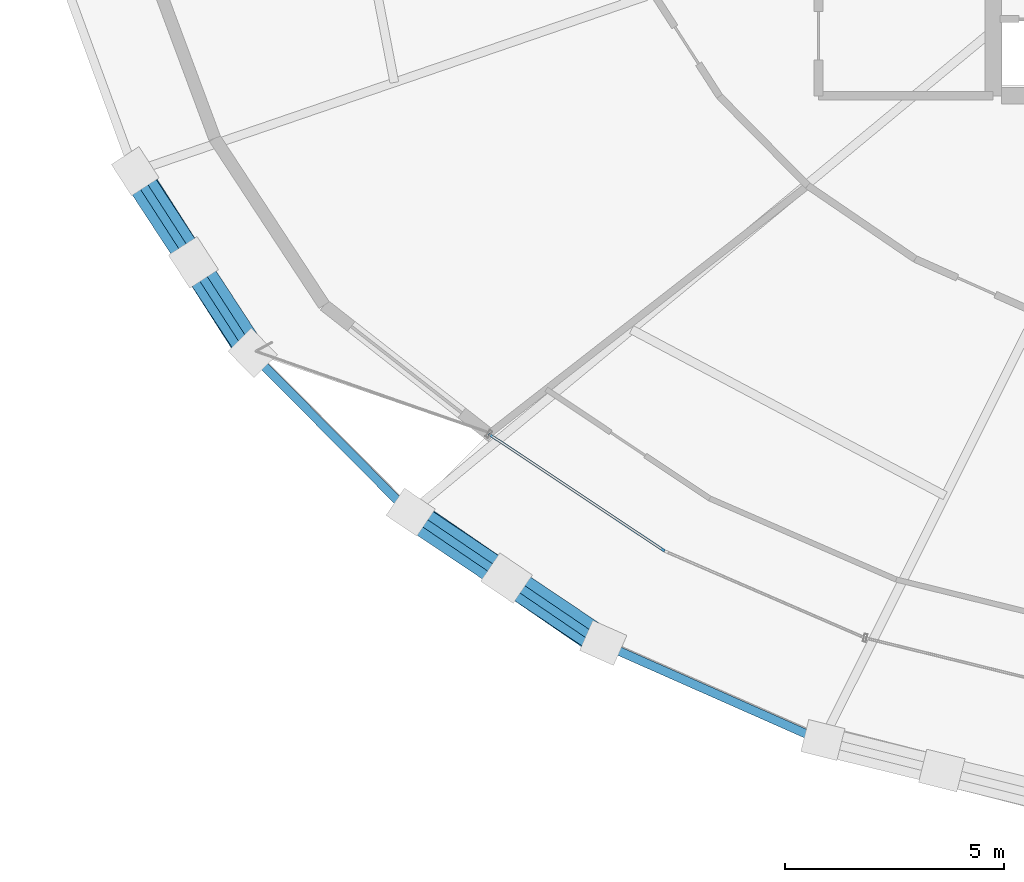
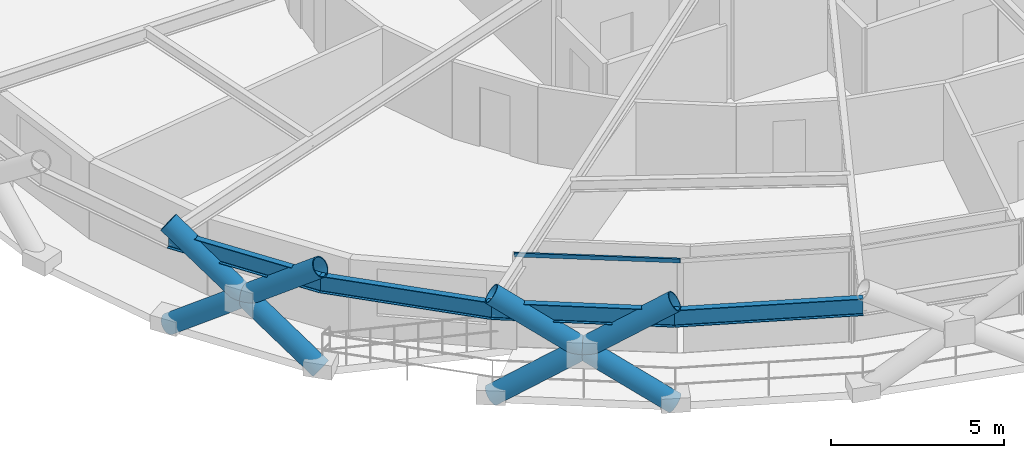
# One storey, part 1 of 21: 7 members, 4 beams, 1 element without a shape of its own.
"""IFC4 building model written with IfcOpenShell, lengths in metres."""

from ifc_helpers import new_model, si_unit, direction, frame, origin, origin_2d, place, context, subcontext, project, spatial, hollow_rectangle, hollow_circle, i_section, extrude, material, layer, layer_set, material_profile, profile_set, type_object, element, aggregate, save


model = new_model("IFC4")

# Units and contexts
model_context = context("Model", 3, precision=1e-05, world=origin(), true_north=direction((0.0, 1.0)))
body_context = subcontext(model_context, "Body", "Model", "MODEL_VIEW")
ifc_project = project(units=[si_unit("LENGTHUNIT", "METRE"), si_unit("AREAUNIT", "SQUARE_METRE"), si_unit("VOLUMEUNIT", "CUBIC_METRE"), si_unit("PLANEANGLEUNIT", "RADIAN"), si_unit("MASSUNIT", "GRAM", prefix="KILO")], contexts=[model_context])

# Site, building, storey
site_placement = place(None, origin())
site = spatial("IfcSite", under=ifc_project, at=site_placement, CompositionType="ELEMENT")
building_placement = place(site_placement, origin())
building = spatial("IfcBuilding", under=site, at=building_placement, Name="Veldorina Hangang Commons", CompositionType="ELEMENT")
storey_placement = place(building_placement, frame((0.0, 0.0, 73.60009765625)))
storey = spatial("IfcBuildingStorey", under=building, at=storey_placement, Name="L18", CompositionType="ELEMENT", Elevation=73.60009765625)

# Beams
ifc_material_1 = material(Name="Steel SM420-TMC", Category="steel")
ifc_material_profile_1 = material_profile(ifc_material_1, i_section(OverallWidth=0.199951171875, OverallDepth=0.60009765625, WebThickness=0.010986328125, FlangeThickness=0.01708984375, FilletRadius=0.01806640625, at=origin_2d()), Name="H-600x200x11x17")
ifc_profile_set_1 = profile_set([ifc_material_profile_1], Name="Steel SM420-TMC")
beam_type = type_object("IfcBeamType", Name="BM-RB600", PredefinedType="BEAM", material=ifc_profile_set_1)
beam_1_placement = place(storey_placement, frame((5.22021484375, 14.82080078125, 3.039794921875), z_axis=(0.542555966662, -0.840019656341, 0.0), x_axis=(0.840019656341, 0.542555966662, 0.0)))
element("IfcBeam", 1, at=beam_1_placement, inside=storey, type_object=beam_type, Name="L18 perimeter hoop ring beam 18", PredefinedType="BEAM", context=body_context, shape_type="SweptSolid", body=[
    extrude(i_section(OverallWidth=0.199951171875, OverallDepth=0.60009765625, WebThickness=0.010986328125, FlangeThickness=0.01708984375, FilletRadius=0.01806640625, at=origin_2d()), origin(), (0.0, 0.0, 1.0), 4.936767578125),
])
beam_2_placement = place(storey_placement, frame((7.898681640625, 10.673828125, 3.039794921875), z_axis=(0.704215546876, -0.709986241795, 0.0), x_axis=(0.709986241795, 0.704215546876, 0.0)))
element("IfcBeam", 2, at=beam_2_placement, inside=storey, type_object=beam_type, Name="L18 perimeter hoop ring beam 19", PredefinedType="BEAM", context=body_context, shape_type="SweptSolid", body=[
    extrude(i_section(OverallWidth=0.199951171875, OverallDepth=0.60009765625, WebThickness=0.010986328125, FlangeThickness=0.01708984375, FilletRadius=0.01806640625, at=origin_2d()), origin(), (0.0, 0.0, 1.0), 5.119140625),
])
beam_3_placement = place(storey_placement, frame((11.503662109375, 7.039306640625, 3.039794921875), z_axis=(0.827244514098, -0.561842072023, 0.0), x_axis=(0.561842072023, 0.827244514098, 0.0)))
element("IfcBeam", 3, at=beam_3_placement, inside=storey, type_object=beam_type, Name="L18 perimeter hoop ring beam 20", PredefinedType="BEAM", context=body_context, shape_type="SweptSolid", body=[
    extrude(i_section(OverallWidth=0.199951171875, OverallDepth=0.60009765625, WebThickness=0.010986328125, FlangeThickness=0.01708984375, FilletRadius=0.01806640625, at=origin_2d()), origin(), (0.0, 0.0, 1.0), 5.3095703125),
])
beam_4_placement = place(storey_placement, frame((15.89599609375, 4.05615234375, 3.039794921875), z_axis=(0.91453945814, -0.404496699004, 0.0), x_axis=(0.404496699004, 0.91453945814, 0.0)))
element("IfcBeam", 4, at=beam_4_placement, inside=storey, type_object=beam_type, Name="L18 perimeter hoop ring beam 21", PredefinedType="BEAM", context=body_context, shape_type="SweptSolid", body=[
    extrude(i_section(OverallWidth=0.199951171875, OverallDepth=0.60009765625, WebThickness=0.010986328125, FlangeThickness=0.01708984375, FilletRadius=0.01806640625, at=origin_2d()), origin(), (0.0, 0.0, 1.0), 5.479736328125),
])

# Curtain wall, member
ifc_material_2 = material(Name="Glass Low-E Triple IGU", Category="glass")
ifc_layer = layer(ifc_material_2, 0.179931640625)
ifc_layer_set = layer_set([ifc_layer], Name="Glass Low-E Triple IGU")
curtain_wall_type = type_object("IfcCurtainWallType", Name="CW-SYS-Z1", PredefinedType="NOTDEFINED", material=ifc_layer_set)
curtain_wall_placement = place(storey_placement, origin())
curtain_wall = element("IfcCurtainWall", 5, at=curtain_wall_placement, inside=storey, type_object=curtain_wall_type, Name="L18 unitised curtain wall CW-L18-R1", PredefinedType="NOTDEFINED")
ifc_material_3 = material(Name="Aluminium Anodized AA6063-T6", Category="aluminium")
ifc_material_profile_2 = material_profile(ifc_material_3, hollow_rectangle(XDim=0.06005859375, YDim=0.139892578125, WallThickness=0.00341796875, at=origin_2d()), Name="ALU-RHS-140x60x3.5")
ifc_profile_set_2 = profile_set([ifc_material_profile_2], Name="Aluminium Anodized AA6063-T6")
member_type_1 = type_object("IfcMemberType", Name="CW-TRN-140", PredefinedType="USERDEFINED", material=ifc_profile_set_2)
member_1_placement = place(storey_placement, frame((13.302490234375, 8.837890625, 3.260009765625), z_axis=(0.832502642558, -0.554021073728, 0.0), x_axis=(0.554021073728, 0.832502642558, 0.0)))
member_1 = element("IfcMember", 6, at=member_1_placement, type_object=member_type_1, Name="CW-L18-R1 facet 1 transom 1", ObjectType="TRANSOM", PredefinedType="USERDEFINED", context=body_context, shape_type="SweptSolid", body=[
    extrude(hollow_rectangle(XDim=0.06005859375, YDim=0.139892578125, WallThickness=0.00341796875, at=origin_2d()), origin(), (0.0, 0.0, 1.0), 4.81298828125),
])
aggregate(curtain_wall, [member_1])

# Members
ifc_material_4 = material(Name="Steel SM460-TMC", Category="steel")
ifc_material_profile_3 = material_profile(ifc_material_4, hollow_circle(Radius=0.324951171875, WallThickness=0.031982421875, at=origin_2d()), Name="CHS-650x32")
ifc_profile_set_3 = profile_set([ifc_material_profile_3], Name="Steel SM460-TMC")
member_type_2 = type_object("IfcMemberType", Name="DG-CHS650", PredefinedType="BRACE", material=ifc_profile_set_3)
member_2_placement = place(storey_placement, frame((5.2421875, 14.830078125, 0.0), z_axis=(0.434449326939, -0.680998420454, 0.5894870089), x_axis=(0.843051606963, 0.53783267658, 0.0)))
element("IfcMember", 7, at=member_2_placement, inside=storey, type_object=member_type_2, Name="L18 continuous perimeter diagrid brace 18", PredefinedType="BRACE", context=body_context, shape_type="SweptSolid", body=[
    extrude(hollow_circle(Radius=0.324951171875, WallThickness=0.031982421875, at=origin_2d()), origin(), (0.0, 0.0, 1.0), 6.106689453125),
])
member_3_placement = place(storey_placement, frame((7.918701171875, 10.687255859375, 0.0), z_axis=(-0.442331749181, 0.676211063418, 0.589135995656), x_axis=(-0.8368597728, -0.547417318568, 0.0)))
element("IfcMember", 8, at=member_3_placement, inside=storey, type_object=member_type_2, Name="L18 split perimeter diagrid lower brace 19", PredefinedType="BRACE", context=body_context, shape_type="SweptSolid", body=[
    extrude(hollow_circle(Radius=0.324951171875, WallThickness=0.031982421875, at=origin_2d()), origin(), (0.0, 0.0, 1.0), 3.05322265625),
])
member_4_placement = place(storey_placement, frame((6.568115234375, 12.751953125, 1.798828125), z_axis=(-0.442226742182, 0.676238726035, 0.589183073339), x_axis=(-0.836929561154, -0.547310615343, 0.0)))
element("IfcMember", 9, at=member_4_placement, inside=storey, type_object=member_type_2, Name="L18 split perimeter diagrid upper brace 19", PredefinedType="BRACE", context=body_context, shape_type="SweptSolid", body=[
    extrude(hollow_circle(Radius=0.324951171875, WallThickness=0.031982421875, at=origin_2d()), origin(), (0.0, 0.0, 1.0), 3.056884765625),
])
member_5_placement = place(storey_placement, frame((11.5205078125, 7.055908203125, 0.0), z_axis=(0.682119266915, -0.468454821727, 0.561483201622), x_axis=(0.566116662781, 0.824325132531, 0.0)))
element("IfcMember", 10, at=member_5_placement, inside=storey, type_object=member_type_2, Name="L18 continuous perimeter diagrid brace 20", PredefinedType="BRACE", context=body_context, shape_type="SweptSolid", body=[
    extrude(hollow_circle(Radius=0.324951171875, WallThickness=0.031982421875, at=origin_2d()), origin(), (0.0, 0.0, 1.0), 6.411376953125),
])
member_6_placement = place(storey_placement, frame((15.909423828125, 4.075927734375, 0.0), z_axis=(-0.687247081126, 0.461312223542, 0.5611439048), x_axis=(-0.557330006813, -0.830291071556, 0.0)))
element("IfcMember", 11, at=member_6_placement, inside=storey, type_object=member_type_2, Name="L18 split perimeter diagrid lower brace 21", PredefinedType="BRACE", context=body_context, shape_type="SweptSolid", body=[
    extrude(hollow_circle(Radius=0.324951171875, WallThickness=0.031982421875, at=origin_2d()), origin(), (0.0, 0.0, 1.0), 3.2060546875),
])
member_7_placement = place(storey_placement, frame((13.7060546875, 5.554931640625, 1.799072265625), z_axis=(-0.687185938457, 0.461496246249, 0.561067465359), x_axis=(-0.557517430782, -0.830165233176, 0.0)))
element("IfcMember", 12, at=member_7_placement, inside=storey, type_object=member_type_2, Name="L18 split perimeter diagrid upper brace 21", PredefinedType="BRACE", context=body_context, shape_type="SweptSolid", body=[
    extrude(hollow_circle(Radius=0.324951171875, WallThickness=0.031982421875, at=origin_2d()), origin(), (0.0, 0.0, 1.0), 3.20947265625),
])

save(model, "model.ifc")
